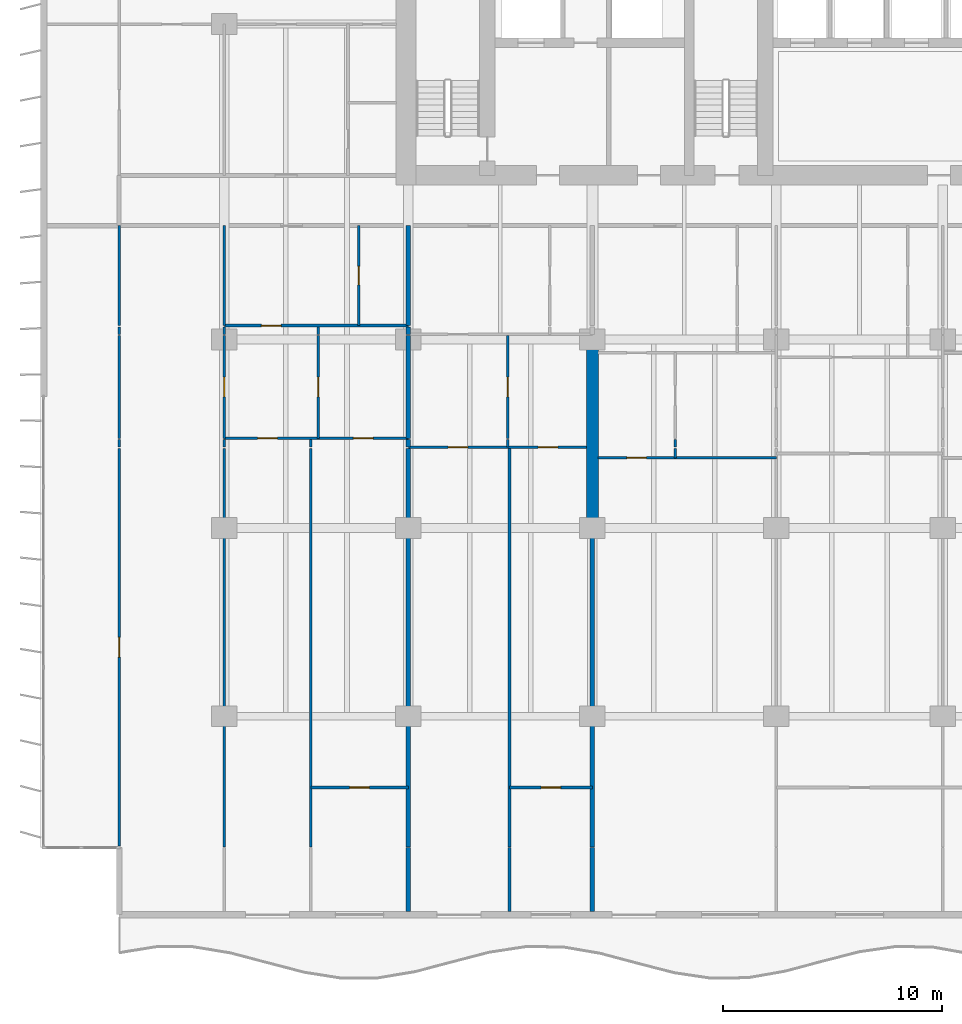
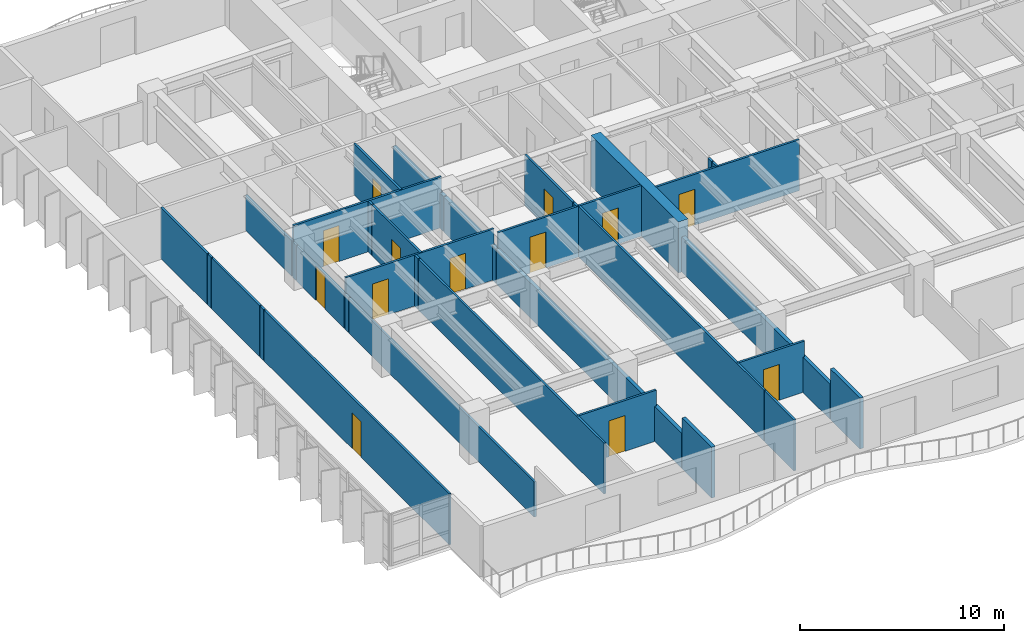
# One storey, part 6 of 17: 36 walls, 13 doors, 13 openings.
"""IFC4 building model written with IfcOpenShell, lengths in metres."""

from ifc_helpers import new_model, si_unit, direction, frame, frame_2d, origin, place, context, subcontext, project, spatial, rectangle, extrude, material, layer, layer_set, type_object, element, fill, save


model = new_model("IFC4")

# Units and contexts
model_context = context("Model", 3, precision=1e-05, world=origin(), true_north=direction((0.0, 1.0)))
body_context = subcontext(model_context, "Body", "Model", "MODEL_VIEW")
ifc_project = project(units=[si_unit("LENGTHUNIT", "METRE"), si_unit("AREAUNIT", "SQUARE_METRE"), si_unit("VOLUMEUNIT", "CUBIC_METRE"), si_unit("PLANEANGLEUNIT", "RADIAN"), si_unit("MASSUNIT", "GRAM", prefix="KILO")], contexts=[model_context])

# Site, building, storey
site_placement = place(None, origin())
site = spatial("IfcSite", under=ifc_project, at=site_placement, CompositionType="ELEMENT")
building_placement = place(site_placement, origin())
building = spatial("IfcBuilding", under=site, at=building_placement, Name="Caelmar Bay Residences", CompositionType="ELEMENT")
storey_placement = place(building_placement, frame((0.0, 0.0, 49.800048828125)))
storey = spatial("IfcBuildingStorey", under=building, at=storey_placement, Name="L12", CompositionType="ELEMENT", Elevation=49.800048828125)

# Wall
ifc_material_1 = material(Name="Concrete f'c 70 MPa (10,000 psi)", Category="concrete")
ifc_layer_1 = layer(ifc_material_1, 0.550048828125)
ifc_layer_set_1 = layer_set([ifc_layer_1], Name="Concrete f'c 70 MPa (10,000 psi)")
wall_type_1 = type_object("IfcWallType", Name="SW-XSLB-550", PredefinedType="SHEAR", material=ifc_layer_set_1)
wall_1_placement = place(storey_placement, frame((26.699951171875, 20.800048828125, 0.0), z_axis=(0.0, 0.0, 1.0), x_axis=(0.0, 1.0, 0.0)))
element("IfcWall", 1, at=wall_1_placement, inside=storey, type_object=wall_type_1, Name="L12 Transverse Cross-Slab Shear Wall W5", PredefinedType="SHEAR", context=body_context, shape_type="SweptSolid", body=[
    extrude(rectangle(XDim=8.599853515625, YDim=0.550048828125, at=frame_2d((4.2998046875, 0.0))), origin(), (0.0, 0.0, 1.0), 3.050048828125),
])

# Wall, opening, door
ifc_material_2 = material(Name="Acoustic metal-stud gypsum partition 120 mm")
ifc_layer_2 = layer(ifc_material_2, 0.1201171875)
ifc_layer_set_2 = layer_set([ifc_layer_2], Name="Acoustic metal-stud gypsum partition 120 mm")
wall_type_2 = type_object("IfcWallType", Name="W-PRT-120", PredefinedType="PARTITIONING", material=ifc_layer_set_2)
wall_2_placement = place(storey_placement, frame((5.10009765625, 6.284912109375, 0.0), z_axis=(0.0, 0.0, 1.0), x_axis=(0.0, 1.0, 0.0)))
wall_2 = element("IfcWall", 2, at=wall_2_placement, inside=storey, type_object=wall_type_2, Name="L12 Partition Wall V001", PredefinedType="PARTITIONING", context=body_context, shape_type="SweptSolid", body=[
    extrude(rectangle(XDim=18.14501953125, YDim=0.1201171875, at=frame_2d((9.072509765625, 0.0))), origin(), (0.0, 0.0, 1.0), 3.050048828125),
])
opening_1_placement = place(wall_2_placement, frame((8.62255859375, 0.0, 0.0)))
opening_1 = element("IfcOpeningElement", 3, at=opening_1_placement, cuts=wall_2, Name="Opening D-L12-164", PredefinedType="OPENING", context=body_context, shape_type="SweptSolid", body=[
    extrude(rectangle(XDim=0.89990234375, YDim=2.14990234375, at=frame_2d((0.449951171875, 1.074951171875))), frame((0.0, 0.070068359375, 0.0), z_axis=(0.0, -1.0, 0.0), x_axis=(1.0, 0.0, 0.0)), (0.0, 0.0, 1.0), 0.14013671875),
])
ifc_material_3 = material(Name="Solid walnut timber interior door leaf and frame", Category="wood")
ifc_layer_3 = layer(ifc_material_3, 0.050048828125)
ifc_layer_set_3 = layer_set([ifc_layer_3], Name="Solid walnut timber interior door leaf and frame")
door_type_1 = type_object("IfcDoorType", Name="D-ROOM-900", OperationType="NOTDEFINED", PredefinedType="DOOR", material=ifc_layer_set_3)
door_1_placement = place(opening_1_placement, origin())
door_1 = element("IfcDoor", 4, at=door_1_placement, inside=storey, type_object=door_type_1, Name="L12 Residence 01 Penthouse West Salon Door", OperationType="SINGLE_SWING_LEFT", OverallHeight=2.14990234375, OverallWidth=0.89990234375, PredefinedType="DOOR", context=body_context, shape_type="SweptSolid", body=[
    extrude(rectangle(XDim=0.89990234375, YDim=2.14990234375, at=frame_2d((0.449951171875, 1.074951171875))), frame((0.0, 0.02490234375, 0.0), z_axis=(0.0, -1.0, 0.0), x_axis=(1.0, 0.0, 0.0)), (0.0, 0.0, 1.0), 0.050048828125),
])
fill(opening_1, door_1)

# Walls
wall_3_placement = place(storey_placement, frame((5.10009765625, 24.489990234375, 0.0), z_axis=(0.0, 0.0, 1.0), x_axis=(0.0, 1.0, 0.0)))
element("IfcWall", 5, at=wall_3_placement, inside=storey, type_object=wall_type_2, Name="L12 Partition Wall V002", PredefinedType="PARTITIONING", context=body_context, shape_type="SweptSolid", body=[
    extrude(rectangle(XDim=0.340087890625, YDim=0.1201171875, at=frame_2d((0.169921875, 0.0))), origin(), (0.0, 0.0, 1.0), 3.050048828125),
])
wall_4_placement = place(storey_placement, frame((5.10009765625, 24.889892578125, 0.0), z_axis=(0.0, 0.0, 1.0), x_axis=(0.0, 1.0, 0.0)))
element("IfcWall", 6, at=wall_4_placement, inside=storey, type_object=wall_type_2, Name="L12 Partition Wall V003", PredefinedType="PARTITIONING", context=body_context, shape_type="SweptSolid", body=[
    extrude(rectangle(XDim=4.690185546875, YDim=0.1201171875, at=frame_2d((2.34521484375, 0.0))), origin(), (0.0, 0.0, 1.0), 3.050048828125),
])
wall_5_placement = place(storey_placement, frame((5.10009765625, 29.639892578125, 0.0), z_axis=(0.0, 0.0, 1.0), x_axis=(0.0, 1.0, 0.0)))
element("IfcWall", 7, at=wall_5_placement, inside=storey, type_object=wall_type_2, Name="L12 Partition Wall V004", PredefinedType="PARTITIONING", context=body_context, shape_type="SweptSolid", body=[
    extrude(rectangle(XDim=0.340087890625, YDim=0.1201171875, at=frame_2d((0.169921875, 0.0))), origin(), (0.0, 0.0, 1.0), 3.050048828125),
])
wall_6_placement = place(storey_placement, frame((5.10009765625, 30.0400390625, 0.0), z_axis=(0.0, 0.0, 1.0), x_axis=(0.0, 1.0, 0.0)))
element("IfcWall", 8, at=wall_6_placement, inside=storey, type_object=wall_type_2, Name="L12 Partition Wall V005", PredefinedType="PARTITIONING", context=body_context, shape_type="SweptSolid", body=[
    extrude(rectangle(XDim=4.56005859375, YDim=0.1201171875, at=frame_2d((2.280029296875, 0.0))), origin(), (0.0, 0.0, 1.0), 3.050048828125),
])
wall_7_placement = place(storey_placement, frame((9.89990234375, 6.239990234375, 0.0), z_axis=(0.0, 0.0, 1.0), x_axis=(0.0, 1.0, 0.0)))
element("IfcWall", 9, at=wall_7_placement, inside=storey, type_object=wall_type_2, Name="L12 Partition Wall V009", PredefinedType="PARTITIONING", context=body_context, shape_type="SweptSolid", body=[
    extrude(rectangle(XDim=18.18994140625, YDim=0.1201171875, at=frame_2d((9.094970703125, 0.0))), origin(), (0.0, 0.0, 1.0), 2.10986328125),
])
wall_8_placement = place(storey_placement, frame((9.89990234375, 24.489990234375, 0.0), z_axis=(0.0, 0.0, 1.0), x_axis=(0.0, 1.0, 0.0)))
element("IfcWall", 10, at=wall_8_placement, inside=storey, type_object=wall_type_2, Name="L12 Partition Wall V010", PredefinedType="PARTITIONING", context=body_context, shape_type="SweptSolid", body=[
    extrude(rectangle(XDim=0.340087890625, YDim=0.1201171875, at=frame_2d((0.169921875, 0.0))), origin(), (0.0, 0.0, 1.0), 2.10986328125),
])

# Wall, opening, door
wall_9_placement = place(storey_placement, frame((9.89990234375, 24.889892578125, 0.0), z_axis=(0.0, 0.0, 1.0), x_axis=(0.0, 1.0, 0.0)))
wall_9 = element("IfcWall", 11, at=wall_9_placement, inside=storey, type_object=wall_type_2, Name="L12 Partition Wall V011", PredefinedType="PARTITIONING", context=body_context, shape_type="SweptSolid", body=[
    extrude(rectangle(XDim=4.690185546875, YDim=0.1201171875, at=frame_2d((2.34521484375, 0.0))), origin(), (0.0, 0.0, 1.0), 2.10986328125),
])
opening_2_placement = place(wall_9_placement, frame((1.89501953125, 0.0, 0.0)))
opening_2 = element("IfcOpeningElement", 12, at=opening_2_placement, cuts=wall_9, Name="Opening D-L12-126", PredefinedType="OPENING", context=body_context, shape_type="SweptSolid", body=[
    extrude(rectangle(XDim=0.89990234375, YDim=2.06005859375, at=frame_2d((0.449951171875, 1.030029296875))), frame((0.0, 0.070068359375, 0.0), z_axis=(0.0, -1.0, 0.0), x_axis=(1.0, 0.0, 0.0)), (0.0, 0.0, 1.0), 0.14013671875),
])
door_2_placement = place(opening_2_placement, origin())
door_2 = element("IfcDoor", 13, at=door_2_placement, inside=storey, type_object=door_type_1, Name="L12 Residence 01 West Apartment Hall Door", OperationType="SINGLE_SWING_LEFT", OverallHeight=2.06005859375, OverallWidth=0.89990234375, PredefinedType="DOOR", context=body_context, shape_type="SweptSolid", body=[
    extrude(rectangle(XDim=0.89990234375, YDim=2.06005859375, at=frame_2d((0.449951171875, 1.030029296875))), frame((0.0, 0.02490234375, 0.0), z_axis=(0.0, -1.0, 0.0), x_axis=(1.0, 0.0, 0.0)), (0.0, 0.0, 1.0), 0.050048828125),
])
fill(opening_2, door_2)

# Walls
wall_10_placement = place(storey_placement, frame((9.89990234375, 29.639892578125, 0.0), z_axis=(0.0, 0.0, 1.0), x_axis=(0.0, 1.0, 0.0)))
element("IfcWall", 14, at=wall_10_placement, inside=storey, type_object=wall_type_2, Name="L12 Partition Wall V012", PredefinedType="PARTITIONING", context=body_context, shape_type="SweptSolid", body=[
    extrude(rectangle(XDim=0.340087890625, YDim=0.1201171875, at=frame_2d((0.169921875, 0.0))), origin(), (0.0, 0.0, 1.0), 2.10986328125),
])
wall_11_placement = place(storey_placement, frame((9.89990234375, 30.0400390625, 0.0), z_axis=(0.0, 0.0, 1.0), x_axis=(0.0, 1.0, 0.0)))
element("IfcWall", 15, at=wall_11_placement, inside=storey, type_object=wall_type_2, Name="L12 Partition Wall V013", PredefinedType="PARTITIONING", context=body_context, shape_type="SweptSolid", body=[
    extrude(rectangle(XDim=4.56005859375, YDim=0.1201171875, at=frame_2d((2.280029296875, 0.0))), origin(), (0.0, 0.0, 1.0), 2.10986328125),
])
wall_12_placement = place(storey_placement, frame((13.847900390625, 6.239990234375, 0.0), z_axis=(0.0, 0.0, 1.0), x_axis=(0.0, 1.0, 0.0)))
element("IfcWall", 16, at=wall_12_placement, inside=storey, type_object=wall_type_2, Name="L12 Partition Wall V016", PredefinedType="PARTITIONING", context=body_context, shape_type="SweptSolid", body=[
    extrude(rectangle(XDim=18.18994140625, YDim=0.1201171875, at=frame_2d((9.094970703125, 0.0))), origin(), (0.0, 0.0, 1.0), 3.050048828125),
])
wall_13_placement = place(storey_placement, frame((13.847900390625, 24.489990234375, 0.0), z_axis=(0.0, 0.0, 1.0), x_axis=(0.0, 1.0, 0.0)))
element("IfcWall", 17, at=wall_13_placement, inside=storey, type_object=wall_type_2, Name="L12 Partition Wall V017", PredefinedType="PARTITIONING", context=body_context, shape_type="SweptSolid", body=[
    extrude(rectangle(XDim=0.340087890625, YDim=0.1201171875, at=frame_2d((0.169921875, 0.0))), origin(), (0.0, 0.0, 1.0), 3.050048828125),
])

# Wall, opening, door
wall_14_placement = place(storey_placement, frame((14.18603515625, 24.889892578125, 0.0), z_axis=(0.0, 0.0, 1.0), x_axis=(0.0, 1.0, 0.0)))
wall_14 = element("IfcWall", 18, at=wall_14_placement, inside=storey, type_object=wall_type_2, Name="L12 Partition Wall V018", PredefinedType="PARTITIONING", context=body_context, shape_type="SweptSolid", body=[
    extrude(rectangle(XDim=4.690185546875, YDim=0.1201171875, at=frame_2d((2.34521484375, 0.0))), origin(), (0.0, 0.0, 1.0), 3.050048828125),
])
opening_3_placement = place(wall_14_placement, frame((1.89501953125, 0.0, 0.0)))
opening_3 = element("IfcOpeningElement", 19, at=opening_3_placement, cuts=wall_14, Name="Opening D-L12-122", PredefinedType="OPENING", context=body_context, shape_type="SweptSolid", body=[
    extrude(rectangle(XDim=0.89990234375, YDim=2.14990234375, at=frame_2d((0.449951171875, 1.074951171875))), frame((0.0, 0.070068359375, 0.0), z_axis=(0.0, -1.0, 0.0), x_axis=(1.0, 0.0, 0.0)), (0.0, 0.0, 1.0), 0.14013671875),
])
door_3_placement = place(opening_3_placement, origin())
door_3 = element("IfcDoor", 20, at=door_3_placement, inside=storey, type_object=door_type_1, Name="L12 Residence 01 Formal Dining Room Door", OperationType="SINGLE_SWING_LEFT", OverallHeight=2.14990234375, OverallWidth=0.89990234375, PredefinedType="DOOR", context=body_context, shape_type="SweptSolid", body=[
    extrude(rectangle(XDim=0.89990234375, YDim=2.14990234375, at=frame_2d((0.449951171875, 1.074951171875))), frame((0.0, 0.02490234375, 0.0), z_axis=(0.0, -1.0, 0.0), x_axis=(1.0, 0.0, 0.0)), (0.0, 0.0, 1.0), 0.050048828125),
])
fill(opening_3, door_3)

# Wall
wall_15_placement = place(storey_placement, frame((14.18603515625, 29.639892578125, 0.0), z_axis=(0.0, 0.0, 1.0), x_axis=(0.0, 1.0, 0.0)))
element("IfcWall", 21, at=wall_15_placement, inside=storey, type_object=wall_type_2, Name="L12 Partition Wall V019", PredefinedType="PARTITIONING", context=body_context, shape_type="SweptSolid", body=[
    extrude(rectangle(XDim=0.340087890625, YDim=0.1201171875, at=frame_2d((0.169921875, 0.0))), origin(), (0.0, 0.0, 1.0), 3.050048828125),
])

# Wall, opening, door
wall_16_placement = place(storey_placement, frame((16.041015625, 30.0400390625, 0.0), z_axis=(0.0, 0.0, 1.0), x_axis=(0.0, 1.0, 0.0)))
wall_16 = element("IfcWall", 22, at=wall_16_placement, inside=storey, type_object=wall_type_2, Name="L12 Partition Wall V021", PredefinedType="PARTITIONING", context=body_context, shape_type="SweptSolid", body=[
    extrude(rectangle(XDim=4.56005859375, YDim=0.1201171875, at=frame_2d((2.280029296875, 0.0))), origin(), (0.0, 0.0, 1.0), 3.050048828125),
])
opening_4_placement = place(wall_16_placement, frame((1.85498046875, 0.0, 0.0)))
opening_4 = element("IfcOpeningElement", 23, at=opening_4_placement, cuts=wall_16, Name="Opening D-L12-120", PredefinedType="OPENING", context=body_context, shape_type="SweptSolid", body=[
    extrude(rectangle(XDim=0.85009765625, YDim=2.10009765625, at=frame_2d((0.425048828125, 1.050048828125))), frame((0.0, 0.070068359375, 0.0), z_axis=(0.0, -1.0, 0.0), x_axis=(1.0, 0.0, 0.0)), (0.0, 0.0, 1.0), 0.14013671875),
])
ifc_layer_4 = layer(ifc_material_3, 0.050048828125)
ifc_layer_set_4 = layer_set([ifc_layer_4], Name="Solid walnut timber interior door leaf and frame")
door_type_2 = type_object("IfcDoorType", Name="D-BATH-850", OperationType="NOTDEFINED", PredefinedType="DOOR", material=ifc_layer_set_4)
door_4_placement = place(opening_4_placement, origin())
door_4 = element("IfcDoor", 24, at=door_4_placement, inside=storey, type_object=door_type_2, Name="L12 Residence 01 Bathroom Door", OperationType="SINGLE_SWING_LEFT", OverallHeight=2.10009765625, OverallWidth=0.85009765625, PredefinedType="DOOR", context=body_context, shape_type="SweptSolid", body=[
    extrude(rectangle(XDim=0.85009765625, YDim=2.10009765625, at=frame_2d((0.425048828125, 1.050048828125))), frame((0.0, 0.02490234375, 0.0), z_axis=(0.0, -1.0, 0.0), x_axis=(1.0, 0.0, 0.0)), (0.0, 0.0, 1.0), 0.050048828125),
])
fill(opening_4, door_4)

# Wall
wall_17_placement = place(storey_placement, frame((22.8359375, 24.489990234375, 0.0), z_axis=(0.0, 0.0, 1.0), x_axis=(0.0, 1.0, 0.0)))
element("IfcWall", 25, at=wall_17_placement, inside=storey, type_object=wall_type_2, Name="L12 Partition Wall V029", PredefinedType="PARTITIONING", context=body_context, shape_type="SweptSolid", body=[
    extrude(rectangle(XDim=0.340087890625, YDim=0.1201171875, at=frame_2d((0.169921875, 0.0))), origin(), (0.0, 0.0, 1.0), 3.050048828125),
])

# Wall, opening, door
wall_18_placement = place(storey_placement, frame((22.8359375, 24.889892578125, 0.0), z_axis=(0.0, 0.0, 1.0), x_axis=(0.0, 1.0, 0.0)))
wall_18 = element("IfcWall", 26, at=wall_18_placement, inside=storey, type_object=wall_type_2, Name="L12 Partition Wall V030", PredefinedType="PARTITIONING", context=body_context, shape_type="SweptSolid", body=[
    extrude(rectangle(XDim=4.690185546875, YDim=0.1201171875, at=frame_2d((2.34521484375, 0.0))), origin(), (0.0, 0.0, 1.0), 3.050048828125),
])
opening_5_placement = place(wall_18_placement, frame((1.89501953125, 0.0, 0.0)))
opening_5 = element("IfcOpeningElement", 27, at=opening_5_placement, cuts=wall_18, Name="Opening D-L12-130", PredefinedType="OPENING", context=body_context, shape_type="SweptSolid", body=[
    extrude(rectangle(XDim=0.89990234375, YDim=2.14990234375, at=frame_2d((0.449951171875, 1.074951171875))), frame((0.0, 0.070068359375, 0.0), z_axis=(0.0, -1.0, 0.0), x_axis=(1.0, 0.0, 0.0)), (0.0, 0.0, 1.0), 0.14013671875),
])
door_5_placement = place(opening_5_placement, origin())
door_5 = element("IfcDoor", 28, at=door_5_placement, inside=storey, type_object=door_type_1, Name="L12 Residence 02 Formal Dining Room Door", OperationType="SINGLE_SWING_LEFT", OverallHeight=2.14990234375, OverallWidth=0.89990234375, PredefinedType="DOOR", context=body_context, shape_type="SweptSolid", body=[
    extrude(rectangle(XDim=0.89990234375, YDim=2.14990234375, at=frame_2d((0.449951171875, 1.074951171875))), frame((0.0, 0.02490234375, 0.0), z_axis=(0.0, -1.0, 0.0), x_axis=(1.0, 0.0, 0.0)), (0.0, 0.0, 1.0), 0.050048828125),
])
fill(opening_5, door_5)

# Walls
wall_19_placement = place(storey_placement, frame((22.919921875, 3.294921875, 0.0), z_axis=(0.0, 0.0, 1.0), x_axis=(0.0, 1.0, 0.0)))
element("IfcWall", 29, at=wall_19_placement, inside=storey, type_object=wall_type_2, Name="L12 Partition Wall V031", PredefinedType="PARTITIONING", context=body_context, shape_type="SweptSolid", body=[
    extrude(rectangle(XDim=2.905029296875, YDim=0.1201171875, at=frame_2d((1.45263671875, 0.0))), origin(), (0.0, 0.0, 1.0), 3.050048828125),
])
wall_20_placement = place(storey_placement, frame((22.919921875, 6.239990234375, 0.0), z_axis=(0.0, 0.0, 1.0), x_axis=(0.0, 1.0, 0.0)))
element("IfcWall", 30, at=wall_20_placement, inside=storey, type_object=wall_type_2, Name="L12 Partition Wall V032", PredefinedType="PARTITIONING", context=body_context, shape_type="SweptSolid", body=[
    extrude(rectangle(XDim=18.18994140625, YDim=0.1201171875, at=frame_2d((9.094970703125, 0.0))), origin(), (0.0, 0.0, 1.0), 3.050048828125),
])
wall_21_placement = place(storey_placement, frame((30.47998046875, 24.0, 0.0), z_axis=(0.0, 0.0, 1.0), x_axis=(0.0, 1.0, 0.0)))
element("IfcWall", 31, at=wall_21_placement, inside=storey, type_object=wall_type_2, Name="L12 Partition Wall V042", PredefinedType="PARTITIONING", context=body_context, shape_type="SweptSolid", body=[
    extrude(rectangle(XDim=0.429931640625, YDim=0.1201171875, at=frame_2d((0.21484375, 0.0))), origin(), (0.0, 0.0, 1.0), 3.050048828125),
])
wall_22_placement = place(storey_placement, frame((30.47998046875, 24.489990234375, 0.0), z_axis=(0.0, 0.0, 1.0), x_axis=(0.0, 1.0, 0.0)))
element("IfcWall", 32, at=wall_22_placement, inside=storey, type_object=wall_type_2, Name="L12 Partition Wall V043", PredefinedType="PARTITIONING", context=body_context, shape_type="SweptSolid", body=[
    extrude(rectangle(XDim=0.340087890625, YDim=0.1201171875, at=frame_2d((0.169921875, 0.0))), origin(), (0.0, 0.0, 1.0), 3.050048828125),
])

# Wall, opening, door
wall_23_placement = place(storey_placement, frame((13.847900390625, 8.949951171875, 0.0), z_axis=(0.0, 0.0, 1.0), x_axis=(1.0, 0.0, 0.0)))
wall_23 = element("IfcWall", 33, at=wall_23_placement, inside=storey, type_object=wall_type_2, Name="L12 Partition Wall H113", PredefinedType="PARTITIONING", context=body_context, shape_type="SweptSolid", body=[
    extrude(rectangle(XDim=4.4521484375, YDim=0.1201171875, at=frame_2d((2.22607421875, 0.0))), origin(), (0.0, 0.0, 1.0), 3.050048828125),
])
opening_6_placement = place(wall_23_placement, frame((1.77587890625, 0.0, 0.0)))
opening_6 = element("IfcOpeningElement", 34, at=opening_6_placement, cuts=wall_23, Name="Opening D-L12-125", PredefinedType="OPENING", context=body_context, shape_type="SweptSolid", body=[
    extrude(rectangle(XDim=0.89990234375, YDim=2.14990234375, at=frame_2d((0.449951171875, 1.074951171875))), frame((0.0, 0.070068359375, 0.0), z_axis=(0.0, -1.0, 0.0), x_axis=(1.0, 0.0, 0.0)), (0.0, 0.0, 1.0), 0.14013671875),
])
door_6_placement = place(opening_6_placement, origin())
door_6 = element("IfcDoor", 35, at=door_6_placement, inside=storey, type_object=door_type_1, Name="L12 Residence 01 Primary Bedroom Door", OperationType="SINGLE_SWING_RIGHT", OverallHeight=2.14990234375, OverallWidth=0.89990234375, PredefinedType="DOOR", context=body_context, shape_type="SweptSolid", body=[
    extrude(rectangle(XDim=0.89990234375, YDim=2.14990234375, at=frame_2d((0.449951171875, 1.074951171875))), frame((0.0, 0.02490234375, 0.0), z_axis=(0.0, -1.0, 0.0), x_axis=(1.0, 0.0, 0.0)), (0.0, 0.0, 1.0), 0.050048828125),
])
fill(opening_6, door_6)

wall_24_placement = place(storey_placement, frame((22.919921875, 8.949951171875, 0.0), z_axis=(0.0, 0.0, 1.0), x_axis=(1.0, 0.0, 0.0)))
wall_24 = element("IfcWall", 36, at=wall_24_placement, inside=storey, type_object=wall_type_2, Name="L12 Partition Wall H114", PredefinedType="PARTITIONING", context=body_context, shape_type="SweptSolid", body=[
    extrude(rectangle(XDim=3.780029296875, YDim=0.1201171875, at=frame_2d((1.89013671875, 0.0))), origin(), (0.0, 0.0, 1.0), 3.050048828125),
])
opening_7_placement = place(wall_24_placement, frame((1.43994140625, 0.0, 0.0)))
opening_7 = element("IfcOpeningElement", 37, at=opening_7_placement, cuts=wall_24, Name="Opening D-L12-133", PredefinedType="OPENING", context=body_context, shape_type="SweptSolid", body=[
    extrude(rectangle(XDim=0.89990234375, YDim=2.14990234375, at=frame_2d((0.449951171875, 1.074951171875))), frame((0.0, 0.070068359375, 0.0), z_axis=(0.0, -1.0, 0.0), x_axis=(1.0, 0.0, 0.0)), (0.0, 0.0, 1.0), 0.14013671875),
])
door_7_placement = place(opening_7_placement, origin())
door_7 = element("IfcDoor", 38, at=door_7_placement, inside=storey, type_object=door_type_1, Name="L12 Residence 02 Primary Bedroom Door", OperationType="SINGLE_SWING_RIGHT", OverallHeight=2.14990234375, OverallWidth=0.89990234375, PredefinedType="DOOR", context=body_context, shape_type="SweptSolid", body=[
    extrude(rectangle(XDim=0.89990234375, YDim=2.14990234375, at=frame_2d((0.449951171875, 1.074951171875))), frame((0.0, 0.02490234375, 0.0), z_axis=(0.0, -1.0, 0.0), x_axis=(1.0, 0.0, 0.0)), (0.0, 0.0, 1.0), 0.050048828125),
])
fill(opening_7, door_7)

wall_25_placement = place(storey_placement, frame((26.969970703125, 24.0, 0.0), z_axis=(0.0, 0.0, 1.0), x_axis=(1.0, 0.0, 0.0)))
wall_25 = element("IfcWall", 39, at=wall_25_placement, inside=storey, type_object=wall_type_2, Name="L12 Partition Wall H118", PredefinedType="PARTITIONING", context=body_context, shape_type="SweptSolid", body=[
    extrude(rectangle(XDim=8.130126953125, YDim=0.1201171875, at=frame_2d((4.06494140625, 0.0))), origin(), (0.0, 0.0, 1.0), 3.050048828125),
])
opening_8_placement = place(wall_25_placement, frame((1.304931640625, 0.0, 0.0)))
opening_8 = element("IfcOpeningElement", 40, at=opening_8_placement, cuts=wall_25, Name="Opening D-L12-138", PredefinedType="OPENING", context=body_context, shape_type="SweptSolid", body=[
    extrude(rectangle(XDim=0.89990234375, YDim=2.14990234375, at=frame_2d((0.449951171875, 1.074951171875))), frame((0.0, 0.070068359375, 0.0), z_axis=(0.0, -1.0, 0.0), x_axis=(1.0, 0.0, 0.0)), (0.0, 0.0, 1.0), 0.14013671875),
])
door_8_placement = place(opening_8_placement, origin())
door_8 = element("IfcDoor", 41, at=door_8_placement, inside=storey, type_object=door_type_1, Name="L12 Residence 03 Penthouse Living Salon Door", OperationType="SINGLE_SWING_LEFT", OverallHeight=2.14990234375, OverallWidth=0.89990234375, PredefinedType="DOOR", context=body_context, shape_type="SweptSolid", body=[
    extrude(rectangle(XDim=0.89990234375, YDim=2.14990234375, at=frame_2d((0.449951171875, 1.074951171875))), frame((0.0, 0.02490234375, 0.0), z_axis=(0.0, -1.0, 0.0), x_axis=(1.0, 0.0, 0.0)), (0.0, 0.0, 1.0), 0.050048828125),
])
fill(opening_8, door_8)

# Wall, openings, doors
wall_26_placement = place(storey_placement, frame((18.300048828125, 24.489990234375, 0.0), z_axis=(0.0, 0.0, 1.0), x_axis=(1.0, 0.0, 0.0)))
wall_26 = element("IfcWall", 42, at=wall_26_placement, inside=storey, type_object=wall_type_2, Name="L12 Partition Wall H122", PredefinedType="PARTITIONING", context=body_context, shape_type="SweptSolid", body=[
    extrude(rectangle(XDim=8.1298828125, YDim=0.1201171875, at=frame_2d((4.06494140625, 0.0))), origin(), (0.0, 0.0, 1.0), 3.050048828125),
])
opening_9_placement = place(wall_26_placement, frame((1.818115234375, 0.0, 0.0)))
opening_9 = element("IfcOpeningElement", 43, at=opening_9_placement, cuts=wall_26, Name="Opening D-L12-131", PredefinedType="OPENING", context=body_context, shape_type="SweptSolid", body=[
    extrude(rectangle(XDim=0.89990234375, YDim=2.14990234375, at=frame_2d((0.449951171875, 1.074951171875))), frame((0.0, 0.070068359375, 0.0), z_axis=(0.0, -1.0, 0.0), x_axis=(1.0, 0.0, 0.0)), (0.0, 0.0, 1.0), 0.14013671875),
])
opening_10_placement = place(wall_26_placement, frame((5.925048828125, 0.0, 0.0)))
opening_10 = element("IfcOpeningElement", 44, at=opening_10_placement, cuts=wall_26, Name="Opening D-L12-132", PredefinedType="OPENING", context=body_context, shape_type="SweptSolid", body=[
    extrude(rectangle(XDim=0.89990234375, YDim=2.14990234375, at=frame_2d((0.449951171875, 1.074951171875))), frame((0.0, 0.070068359375, 0.0), z_axis=(0.0, -1.0, 0.0), x_axis=(1.0, 0.0, 0.0)), (0.0, 0.0, 1.0), 0.14013671875),
])
door_9_placement = place(opening_9_placement, origin())
door_9 = element("IfcDoor", 45, at=door_9_placement, inside=storey, type_object=door_type_1, Name="L12 Residence 02 Penthouse Living Salon Door", OperationType="SINGLE_SWING_RIGHT", OverallHeight=2.14990234375, OverallWidth=0.89990234375, PredefinedType="DOOR", context=body_context, shape_type="SweptSolid", body=[
    extrude(rectangle(XDim=0.89990234375, YDim=2.14990234375, at=frame_2d((0.449951171875, 1.074951171875))), frame((0.0, 0.02490234375, 0.0), z_axis=(0.0, -1.0, 0.0), x_axis=(1.0, 0.0, 0.0)), (0.0, 0.0, 1.0), 0.050048828125),
])
fill(opening_9, door_9)
door_10_placement = place(opening_10_placement, origin())
door_10 = element("IfcDoor", 46, at=door_10_placement, inside=storey, type_object=door_type_1, Name="L12 Residence 02 Penthouse Sitting Room Door", OperationType="SINGLE_SWING_LEFT", OverallHeight=2.14990234375, OverallWidth=0.89990234375, PredefinedType="DOOR", context=body_context, shape_type="SweptSolid", body=[
    extrude(rectangle(XDim=0.89990234375, YDim=2.14990234375, at=frame_2d((0.449951171875, 1.074951171875))), frame((0.0, 0.02490234375, 0.0), z_axis=(0.0, -1.0, 0.0), x_axis=(1.0, 0.0, 0.0)), (0.0, 0.0, 1.0), 0.050048828125),
])
fill(opening_10, door_10)

wall_27_placement = place(storey_placement, frame((9.89990234375, 24.889892578125, 0.0), z_axis=(0.0, 0.0, 1.0), x_axis=(1.0, 0.0, 0.0)))
wall_27 = element("IfcWall", 47, at=wall_27_placement, inside=storey, type_object=wall_type_2, Name="L12 Partition Wall H124", PredefinedType="PARTITIONING", context=body_context, shape_type="SweptSolid", body=[
    extrude(rectangle(XDim=8.400146484375, YDim=0.1201171875, at=frame_2d((4.2001953125, 0.0))), origin(), (0.0, 0.0, 1.0), 3.050048828125),
])
opening_11_placement = place(wall_27_placement, frame((1.52392578125, 0.0, 0.0)))
opening_11 = element("IfcOpeningElement", 48, at=opening_11_placement, cuts=wall_27, Name="Opening D-L12-123", PredefinedType="OPENING", context=body_context, shape_type="SweptSolid", body=[
    extrude(rectangle(XDim=0.89990234375, YDim=2.14990234375, at=frame_2d((0.449951171875, 1.074951171875))), frame((0.0, 0.070068359375, 0.0), z_axis=(0.0, -1.0, 0.0), x_axis=(1.0, 0.0, 0.0)), (0.0, 0.0, 1.0), 0.14013671875),
])
opening_12_placement = place(wall_27_placement, frame((5.89306640625, 0.0, 0.0)))
opening_12 = element("IfcOpeningElement", 49, at=opening_12_placement, cuts=wall_27, Name="Opening D-L12-124", PredefinedType="OPENING", context=body_context, shape_type="SweptSolid", body=[
    extrude(rectangle(XDim=0.89990234375, YDim=2.14990234375, at=frame_2d((0.449951171875, 1.074951171875))), frame((0.0, 0.070068359375, 0.0), z_axis=(0.0, -1.0, 0.0), x_axis=(1.0, 0.0, 0.0)), (0.0, 0.0, 1.0), 0.14013671875),
])
door_11_placement = place(opening_11_placement, origin())
door_11 = element("IfcDoor", 50, at=door_11_placement, inside=storey, type_object=door_type_1, Name="L12 Residence 01 Penthouse Living Salon Door", OperationType="SINGLE_SWING_RIGHT", OverallHeight=2.14990234375, OverallWidth=0.89990234375, PredefinedType="DOOR", context=body_context, shape_type="SweptSolid", body=[
    extrude(rectangle(XDim=0.89990234375, YDim=2.14990234375, at=frame_2d((0.449951171875, 1.074951171875))), frame((0.0, 0.02490234375, 0.0), z_axis=(0.0, -1.0, 0.0), x_axis=(1.0, 0.0, 0.0)), (0.0, 0.0, 1.0), 0.050048828125),
])
fill(opening_11, door_11)
door_12_placement = place(opening_12_placement, origin())
door_12 = element("IfcDoor", 51, at=door_12_placement, inside=storey, type_object=door_type_1, Name="L12 Residence 01 Penthouse Sitting Room Door", OperationType="SINGLE_SWING_LEFT", OverallHeight=2.14990234375, OverallWidth=0.89990234375, PredefinedType="DOOR", context=body_context, shape_type="SweptSolid", body=[
    extrude(rectangle(XDim=0.89990234375, YDim=2.14990234375, at=frame_2d((0.449951171875, 1.074951171875))), frame((0.0, 0.02490234375, 0.0), z_axis=(0.0, -1.0, 0.0), x_axis=(1.0, 0.0, 0.0)), (0.0, 0.0, 1.0), 0.050048828125),
])
fill(opening_12, door_12)

# Wall, opening, door
wall_28_placement = place(storey_placement, frame((9.89990234375, 30.0400390625, 0.0), z_axis=(0.0, 0.0, 1.0), x_axis=(1.0, 0.0, 0.0)))
wall_28 = element("IfcWall", 52, at=wall_28_placement, inside=storey, type_object=wall_type_2, Name="L12 Partition Wall H131", PredefinedType="PARTITIONING", context=body_context, shape_type="SweptSolid", body=[
    extrude(rectangle(XDim=8.400146484375, YDim=0.1201171875, at=frame_2d((4.2001953125, 0.0))), origin(), (0.0, 0.0, 1.0), 3.050048828125),
])
opening_13_placement = place(wall_28_placement, frame((1.693115234375, 0.0, 0.0)))
opening_13 = element("IfcOpeningElement", 53, at=opening_13_placement, cuts=wall_28, Name="Opening D-L12-121", PredefinedType="OPENING", context=body_context, shape_type="SweptSolid", body=[
    extrude(rectangle(XDim=0.89990234375, YDim=2.14990234375, at=frame_2d((0.449951171875, 1.074951171875))), frame((0.0, 0.070068359375, 0.0), z_axis=(0.0, -1.0, 0.0), x_axis=(1.0, 0.0, 0.0)), (0.0, 0.0, 1.0), 0.14013671875),
])
door_13_placement = place(opening_13_placement, origin())
door_13 = element("IfcDoor", 54, at=door_13_placement, inside=storey, type_object=door_type_1, Name="L12 Residence 01 Kitchen Door", OperationType="SINGLE_SWING_RIGHT", OverallHeight=2.14990234375, OverallWidth=0.89990234375, PredefinedType="DOOR", context=body_context, shape_type="SweptSolid", body=[
    extrude(rectangle(XDim=0.89990234375, YDim=2.14990234375, at=frame_2d((0.449951171875, 1.074951171875))), frame((0.0, 0.02490234375, 0.0), z_axis=(0.0, -1.0, 0.0), x_axis=(1.0, 0.0, 0.0)), (0.0, 0.0, 1.0), 0.050048828125),
])
fill(opening_13, door_13)

# Walls
ifc_material_4 = material(Name="Acoustic twin-stud fire-rated inter-tenancy partition 200 mm")
ifc_layer_5 = layer(ifc_material_4, 0.199951171875)
ifc_layer_set_5 = layer_set([ifc_layer_5], Name="Acoustic twin-stud fire-rated inter-tenancy partition 200 mm")
wall_type_3 = type_object("IfcWallType", Name="W-PTY-200", PredefinedType="PARTITIONING", material=ifc_layer_set_5)
wall_29_placement = place(storey_placement, frame((18.300048828125, 3.294921875, 0.0), z_axis=(0.0, 0.0, 1.0), x_axis=(0.0, 1.0, 0.0)))
element("IfcWall", 55, at=wall_29_placement, inside=storey, type_object=wall_type_3, Name="L12 Partition Wall V022", PredefinedType="PARTITIONING", context=body_context, shape_type="SweptSolid", body=[
    extrude(rectangle(XDim=2.905029296875, YDim=0.199951171875, at=frame_2d((1.45263671875, 0.0))), origin(), (0.0, 0.0, 1.0), 3.050048828125),
])
wall_30_placement = place(storey_placement, frame((18.300048828125, 6.239990234375, 0.0), z_axis=(0.0, 0.0, 1.0), x_axis=(0.0, 1.0, 0.0)))
element("IfcWall", 56, at=wall_30_placement, inside=storey, type_object=wall_type_3, Name="L12 Partition Wall V023", PredefinedType="PARTITIONING", context=body_context, shape_type="SweptSolid", body=[
    extrude(rectangle(XDim=18.18994140625, YDim=0.199951171875, at=frame_2d((9.094970703125, 0.0))), origin(), (0.0, 0.0, 1.0), 2.10986328125),
])
wall_31_placement = place(storey_placement, frame((18.300048828125, 24.489990234375, 0.0), z_axis=(0.0, 0.0, 1.0), x_axis=(0.0, 1.0, 0.0)))
element("IfcWall", 57, at=wall_31_placement, inside=storey, type_object=wall_type_3, Name="L12 Partition Wall V024", PredefinedType="PARTITIONING", context=body_context, shape_type="SweptSolid", body=[
    extrude(rectangle(XDim=0.340087890625, YDim=0.199951171875, at=frame_2d((0.169921875, 0.0))), origin(), (0.0, 0.0, 1.0), 2.10986328125),
])
wall_32_placement = place(storey_placement, frame((18.300048828125, 24.889892578125, 0.0), z_axis=(0.0, 0.0, 1.0), x_axis=(0.0, 1.0, 0.0)))
element("IfcWall", 58, at=wall_32_placement, inside=storey, type_object=wall_type_3, Name="L12 Partition Wall V025", PredefinedType="PARTITIONING", context=body_context, shape_type="SweptSolid", body=[
    extrude(rectangle(XDim=4.690185546875, YDim=0.199951171875, at=frame_2d((2.34521484375, 0.0))), origin(), (0.0, 0.0, 1.0), 2.10986328125),
])
wall_33_placement = place(storey_placement, frame((18.300048828125, 29.639892578125, 0.0), z_axis=(0.0, 0.0, 1.0), x_axis=(0.0, 1.0, 0.0)))
element("IfcWall", 59, at=wall_33_placement, inside=storey, type_object=wall_type_3, Name="L12 Partition Wall V026", PredefinedType="PARTITIONING", context=body_context, shape_type="SweptSolid", body=[
    extrude(rectangle(XDim=0.340087890625, YDim=0.199951171875, at=frame_2d((0.169921875, 0.0))), origin(), (0.0, 0.0, 1.0), 2.10986328125),
])
wall_34_placement = place(storey_placement, frame((18.300048828125, 30.0400390625, 0.0), z_axis=(0.0, 0.0, 1.0), x_axis=(0.0, 1.0, 0.0)))
element("IfcWall", 60, at=wall_34_placement, inside=storey, type_object=wall_type_3, Name="L12 Partition Wall V027", PredefinedType="PARTITIONING", context=body_context, shape_type="SweptSolid", body=[
    extrude(rectangle(XDim=4.56005859375, YDim=0.199951171875, at=frame_2d((2.280029296875, 0.0))), origin(), (0.0, 0.0, 1.0), 2.10986328125),
])
wall_35_placement = place(storey_placement, frame((26.699951171875, 3.294921875, 0.0), z_axis=(0.0, 0.0, 1.0), x_axis=(0.0, 1.0, 0.0)))
element("IfcWall", 61, at=wall_35_placement, inside=storey, type_object=wall_type_3, Name="L12 Partition Wall V036", PredefinedType="PARTITIONING", context=body_context, shape_type="SweptSolid", body=[
    extrude(rectangle(XDim=2.905029296875, YDim=0.199951171875, at=frame_2d((1.45263671875, 0.0))), origin(), (0.0, 0.0, 1.0), 3.050048828125),
])
wall_36_placement = place(storey_placement, frame((26.699951171875, 6.239990234375, 0.0), z_axis=(0.0, 0.0, 1.0), x_axis=(0.0, 1.0, 0.0)))
element("IfcWall", 62, at=wall_36_placement, inside=storey, type_object=wall_type_3, Name="L12 Partition Wall V037", PredefinedType="PARTITIONING", context=body_context, shape_type="SweptSolid", body=[
    extrude(rectangle(XDim=14.554931640625, YDim=0.199951171875, at=frame_2d((7.27734375, 0.0))), origin(), (0.0, 0.0, 1.0), 2.10986328125),
])

save(model, "model.ifc")
